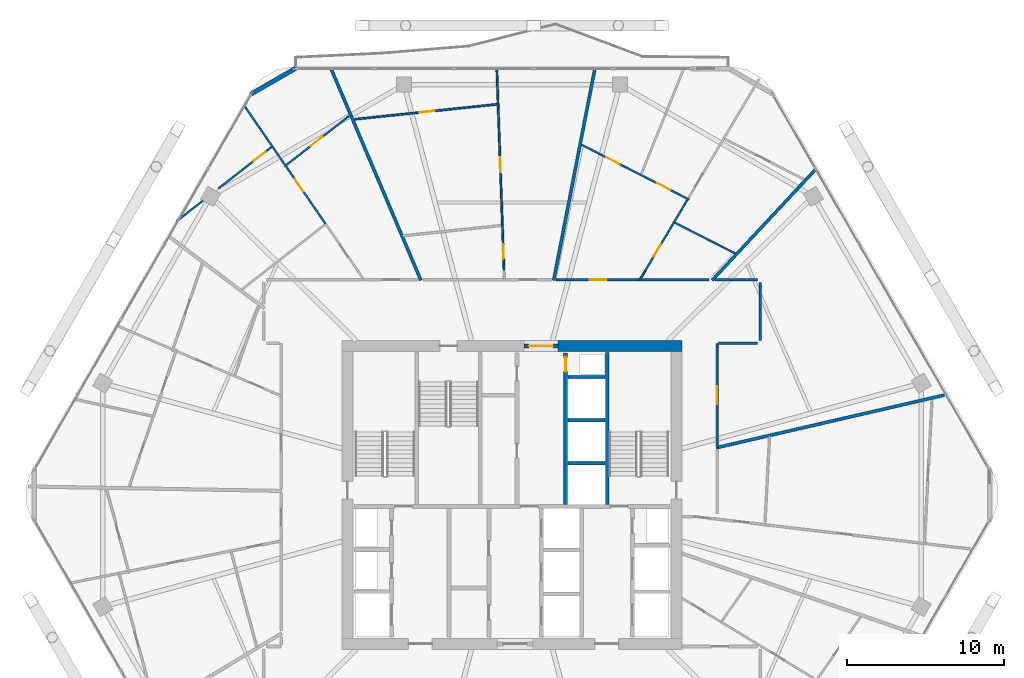
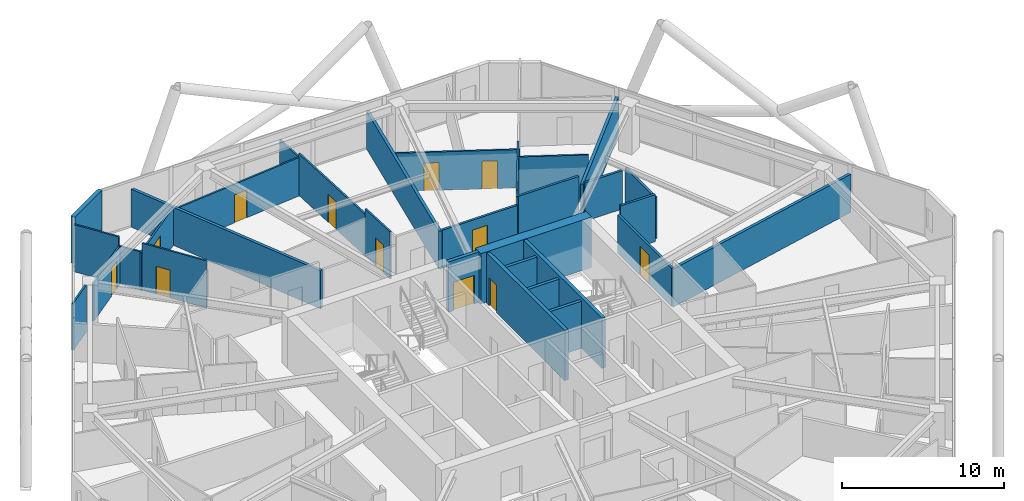
# One storey, part 25 of 28: 33 walls, 13 doors, 13 openings.
"""IFC4 building model written with IfcOpenShell, lengths in metres."""

from ifc_helpers import new_model, si_unit, direction, frame, frame_2d, origin, place, context, subcontext, project, spatial, rectangle, extrude, material, layer, layer_set, type_object, element, fill, save


model = new_model("IFC4")

# Units and contexts
model_context = context("Model", 3, precision=1e-05, world=origin(), true_north=direction((0.0, 1.0)))
body_context = subcontext(model_context, "Body", "Model", "MODEL_VIEW")
ifc_project = project(units=[si_unit("LENGTHUNIT", "METRE"), si_unit("AREAUNIT", "SQUARE_METRE"), si_unit("VOLUMEUNIT", "CUBIC_METRE"), si_unit("PLANEANGLEUNIT", "RADIAN"), si_unit("MASSUNIT", "GRAM", prefix="KILO")], contexts=[model_context])

# Site, building, storey
site_placement = place(None, origin())
site = spatial("IfcSite", under=ifc_project, at=site_placement, CompositionType="ELEMENT")
building_placement = place(site_placement, origin())
building = spatial("IfcBuilding", under=site, at=building_placement, Name="Zuhravey Tower", CompositionType="ELEMENT")
storey_placement = place(building_placement, frame((0.0, 0.0, 207.39990234375)))
storey = spatial("IfcBuildingStorey", under=building, at=storey_placement, Name="L52", CompositionType="ELEMENT", Elevation=207.39990234375)

# Wall
ifc_material_1 = material(Name="Concrete C60/75", Category="concrete")
ifc_layer_1 = layer(ifc_material_1, 0.699951171875)
ifc_layer_set_1 = layer_set([ifc_layer_1], Name="Concrete C60/75")
wall_type_1 = type_object("IfcWallType", Name="Core Shear Wall 700", PredefinedType="SHEAR", material=ifc_layer_set_1)
wall_1_placement = place(storey_placement, frame((46.85009765625, 41.5, 0.0), z_axis=(0.0, 0.0, 1.0), x_axis=(-1.0, 0.0, 0.0)))
element("IfcWall", 1, at=wall_1_placement, inside=storey, type_object=wall_type_1, Name="L52 North-East Core Shear Wall CW70", PredefinedType="SHEAR", context=body_context, shape_type="SweptSolid", body=[
    extrude(rectangle(XDim=7.900146484375, YDim=0.699951171875, at=frame_2d((3.9501953125, 0.0))), origin(), (0.0, 0.0, 1.0), 3.800048828125),
])

# Wall, opening, door
ifc_material_2 = material(Name="Gypsum fire-rated stud partition")
ifc_layer_2 = layer(ifc_material_2, 0.159912109375)
ifc_layer_set_2 = layer_set([ifc_layer_2], Name="Gypsum fire-rated stud partition")
wall_type_2 = type_object("IfcWallType", Name="Corridor Fire Partition 160", PredefinedType="PARTITIONING", material=ifc_layer_set_2)
wall_2_placement = place(storey_placement, frame((44.135498046875, 45.72998046875, 0.0), z_axis=(0.0, 0.0, 1.0), x_axis=(-1.0, 0.0, 0.0)))
wall_2 = element("IfcWall", 2, at=wall_2_placement, inside=storey, type_object=wall_type_2, Name="L52 IW16 Partition 025", PredefinedType="PARTITIONING", context=body_context, shape_type="SweptSolid", body=[
    extrude(rectangle(XDim=5.32177734375, YDim=0.159912109375, at=frame_2d((2.660888671875, 0.0))), origin(), (0.0, 0.0, 1.0), 2.900146484375),
])
opening_1_placement = place(wall_2_placement, frame((2.135986328125, 0.0, 0.0)))
opening_1 = element("IfcOpeningElement", 3, at=opening_1_placement, cuts=wall_2, Name="Opening APD1", PredefinedType="OPENING", context=body_context, shape_type="SweptSolid", body=[
    extrude(rectangle(XDim=1.050048828125, YDim=2.14990234375, at=frame_2d((0.52490234375, 1.074951171875))), frame((0.0, 0.092041015625, 0.0), z_axis=(0.0, -1.0, 0.0), x_axis=(1.0, 0.0, 0.0)), (0.0, 0.0, 1.0), 0.183837890625),
])
ifc_material_3 = material(Name="Solid-core oak fire-rated leaf")
door_type_1 = type_object("IfcDoorType", Name="Apartment Entrance Fire Door 1050x2150", OperationType="NOTDEFINED", PredefinedType="DOOR", material=ifc_material_3)
door_1_placement = place(opening_1_placement, frame((1.050048828125, 0.0, 0.0), z_axis=(0.0, 0.0, 1.0), x_axis=(-1.0, 0.0, 0.0)))
door_1 = element("IfcDoor", 4, at=door_1_placement, inside=storey, type_object=door_type_1, Name="L52 Door 025.1", OperationType="SINGLE_SWING_RIGHT", OverallHeight=2.14990234375, OverallWidth=1.050048828125, PredefinedType="DOOR", context=body_context, shape_type="SweptSolid", body=[
    extrude(rectangle(XDim=1.050048828125, YDim=2.14990234375, at=frame_2d((0.52490234375, 1.074951171875))), frame((0.0, 0.02490234375, 0.0), z_axis=(0.0, -1.0, 0.0), x_axis=(1.0, 0.0, 0.0)), (0.0, 0.0, 1.0), 0.050048828125),
])
fill(opening_1, door_1)

wall_3_placement = place(storey_placement, frame((49.080078125, 35.040283203125, 0.0), z_axis=(0.0, 0.0, 1.0), x_axis=(0.0, 1.0, 0.0)))
wall_3 = element("IfcWall", 5, at=wall_3_placement, inside=storey, type_object=wall_type_2, Name="L52 IW16 Partition 069", PredefinedType="PARTITIONING", context=body_context, shape_type="SweptSolid", body=[
    extrude(rectangle(XDim=6.629638671875, YDim=0.159912109375, at=frame_2d((3.31494140625, 0.0))), origin(), (0.0, 0.0, 1.0), 2.900146484375),
])
opening_2_placement = place(wall_3_placement, frame((2.73974609375, 0.0, 0.0)))
opening_2 = element("IfcOpeningElement", 6, at=opening_2_placement, cuts=wall_3, Name="Opening CLD1", PredefinedType="OPENING", context=body_context, shape_type="SweptSolid", body=[
    extrude(rectangle(XDim=1.14990234375, YDim=2.199951171875, at=frame_2d((0.574951171875, 1.10009765625))), frame((0.0, 0.092041015625, 0.0), z_axis=(0.0, -1.0, 0.0), x_axis=(1.0, 0.0, 0.0)), (0.0, 0.0, 1.0), 0.183837890625),
])
ifc_material_4 = material(Name="Acoustic timber leaf with vision lite", Category="wood")
door_type_2 = type_object("IfcDoorType", Name="Classroom Acoustic Door 1150x2200", OperationType="NOTDEFINED", PredefinedType="DOOR", material=ifc_material_4)
door_2_placement = place(opening_2_placement, frame((1.14990234375, 0.0, 0.0), z_axis=(0.0, 0.0, 1.0), x_axis=(-1.0, 0.0, 0.0)))
door_2 = element("IfcDoor", 7, at=door_2_placement, inside=storey, type_object=door_type_2, Name="L52 Door 069.1", OperationType="SINGLE_SWING_RIGHT", OverallHeight=2.199951171875, OverallWidth=1.14990234375, PredefinedType="DOOR", context=body_context, shape_type="SweptSolid", body=[
    extrude(rectangle(XDim=1.14990234375, YDim=2.199951171875, at=frame_2d((0.574951171875, 1.10009765625))), frame((0.0, 0.02490234375, 0.0), z_axis=(0.0, -1.0, 0.0), x_axis=(1.0, 0.0, 0.0)), (0.0, 0.0, 1.0), 0.050048828125),
])
fill(opening_2, door_2)

# Walls
wall_4_placement = place(storey_placement, frame((48.55419921875, 45.72998046875, 0.0), z_axis=(0.0, 0.0, 1.0), x_axis=(-1.0, 0.0, 0.0)))
element("IfcWall", 8, at=wall_4_placement, inside=storey, type_object=wall_type_2, Name="L52 IW16 Partition 122", PredefinedType="PARTITIONING", context=body_context, shape_type="SweptSolid", body=[
    extrude(rectangle(XDim=4.31640625, YDim=0.159912109375, at=frame_2d((2.158203125, 0.0))), origin(), (0.0, 0.0, 1.0), 3.550048828125),
])
wall_5_placement = place(storey_placement, frame((51.830078125, 41.85009765625, 0.0), z_axis=(0.0, 0.0, 1.0), x_axis=(0.0, 1.0, 0.0)))
element("IfcWall", 9, at=wall_5_placement, inside=storey, type_object=wall_type_2, Name="L52 IW16 Partition 140", PredefinedType="PARTITIONING", context=body_context, shape_type="SweptSolid", body=[
    extrude(rectangle(XDim=3.699951171875, YDim=0.159912109375, at=frame_2d((1.85009765625, 0.0))), origin(), (0.0, 0.0, 1.0), 3.150146484375),
])
wall_6_placement = place(storey_placement, frame((51.64990234375, 45.72998046875, 0.0), z_axis=(0.0, 0.0, 1.0), x_axis=(-1.0, 0.0, 0.0)))
element("IfcWall", 10, at=wall_6_placement, inside=storey, type_object=wall_type_2, Name="L52 IW16 Partition 141", PredefinedType="PARTITIONING", context=body_context, shape_type="SweptSolid", body=[
    extrude(rectangle(XDim=2.69873046875, YDim=0.159912109375, at=frame_2d((1.349365234375, 0.0))), origin(), (0.0, 0.0, 1.0), 2.900146484375),
])
wall_7_placement = place(storey_placement, frame((49.16796875, 41.669921875, 0.0), z_axis=(0.0, 0.0, 1.0), x_axis=(1.0, 0.0, 0.0)))
element("IfcWall", 11, at=wall_7_placement, inside=storey, type_object=wall_type_2, Name="L52 IW16 Partition 142", PredefinedType="PARTITIONING", context=body_context, shape_type="SweptSolid", body=[
    extrude(rectangle(XDim=2.48193359375, YDim=0.159912109375, at=frame_2d((1.240966796875, 0.0))), origin(), (0.0, 0.0, 1.0), 3.550048828125),
])
ifc_material_5 = material(Name="Precast concrete C40/50", Category="concrete")
ifc_layer_3 = layer(ifc_material_5, 0.280029296875)
ifc_layer_set_3 = layer_set([ifc_layer_3], Name="Precast concrete C40/50")
wall_type_3 = type_object("IfcWallType", Name="Crown Architectural Wall 280", PredefinedType="SOLIDWALL", material=ifc_layer_set_3)
wall_8_placement = place(storey_placement, frame((19.306884765625, 57.548095703125, 0.0), z_axis=(0.0, 0.0, 1.0), x_axis=(0.866020068361, 0.500009241111, 0.0)))
element("IfcWall", 12, at=wall_8_placement, inside=storey, type_object=wall_type_3, Name="L52 Rounded Corner Closure Wall EW28-08", PredefinedType="SOLIDWALL", context=body_context, shape_type="SweptSolid", body=[
    extrude(rectangle(XDim=3.365234375, YDim=0.280029296875, at=frame_2d((1.6826171875, 0.0))), origin(), (0.0, 0.0, 1.0), 3.550048828125),
])

# Wall, opening, door
ifc_material_6 = material(Name="Concrete C50/60", Category="concrete")
ifc_layer_4 = layer(ifc_material_6, 0.25)
ifc_layer_set_4 = layer_set([ifc_layer_4], Name="Concrete C50/60")
wall_type_4 = type_object("IfcWallType", Name="Firefighting Shaft & Stair Wall 250", PredefinedType="SOLIDWALL", material=ifc_layer_set_4)
wall_9_placement = place(storey_placement, frame((36.760009765625, 41.5, 0.0), z_axis=(0.0, 0.0, 1.0), x_axis=(1.0, 0.0, 0.0)))
wall_9 = element("IfcWall", 13, at=wall_9_placement, inside=storey, type_object=wall_type_4, Name="L52 FW25 Shaft Wall 002", PredefinedType="SOLIDWALL", context=body_context, shape_type="SweptSolid", body=[
    extrude(rectangle(XDim=2.179931640625, YDim=0.25, at=frame_2d((1.08984375, 0.0))), origin(), (0.0, 0.0, 1.0), 3.800048828125),
])
opening_3_placement = place(wall_9_placement, frame((0.340087890625, 0.0, 0.0)))
opening_3 = element("IfcOpeningElement", 14, at=opening_3_placement, cuts=wall_9, Name="Opening FFD1", PredefinedType="OPENING", context=body_context, shape_type="SweptSolid", body=[
    extrude(rectangle(XDim=1.5, YDim=2.14990234375, at=frame_2d((0.75, 1.074951171875))), frame((0.0, 0.136962890625, 0.0), z_axis=(0.0, -1.0, 0.0), x_axis=(1.0, 0.0, 0.0)), (0.0, 0.0, 1.0), 0.27392578125),
])
ifc_material_7 = material(Name="Galvanised fire-rated steel leaf", Category="steel")
door_type_3 = type_object("IfcDoorType", Name="Firefighting Lobby Double Door 1500x2150", OperationType="DOUBLE_DOOR_SINGLE_SWING", PredefinedType="DOOR", material=ifc_material_7)
door_3_placement = place(opening_3_placement, origin())
door_3 = element("IfcDoor", 15, at=door_3_placement, inside=storey, type_object=door_type_3, Name="L52 North Lift Lobby Exit Door", OperationType="DOUBLE_DOOR_SINGLE_SWING", OverallHeight=2.14990234375, OverallWidth=1.5, PredefinedType="DOOR", context=body_context, shape_type="SweptSolid", body=[
    extrude(rectangle(XDim=1.5, YDim=2.14990234375, at=frame_2d((0.75, 1.074951171875))), frame((0.0, 0.02490234375, 0.0), z_axis=(0.0, -1.0, 0.0), x_axis=(1.0, 0.0, 0.0)), (0.0, 0.0, 1.0), 0.050048828125),
])
fill(opening_3, door_3)

# Wall
wall_10_placement = place(storey_placement, frame((42.074951171875, 31.39990234375, 0.0), z_axis=(0.0, 0.0, 1.0), x_axis=(0.0, 1.0, 0.0)))
element("IfcWall", 16, at=wall_10_placement, inside=storey, type_object=wall_type_4, Name="L52 FW25 Shaft Wall 006", PredefinedType="SOLIDWALL", context=body_context, shape_type="SweptSolid", body=[
    extrude(rectangle(XDim=9.7001953125, YDim=0.25, at=frame_2d((4.85009765625, 0.0))), origin(), (0.0, 0.0, 1.0), 3.800048828125),
])

# Wall, opening, door
wall_11_placement = place(storey_placement, frame((39.425048828125, 31.39990234375, 0.0), z_axis=(0.0, 0.0, 1.0), x_axis=(0.0, 1.0, 0.0)))
wall_11 = element("IfcWall", 17, at=wall_11_placement, inside=storey, type_object=wall_type_4, Name="L52 FW25 Shaft Wall 008", PredefinedType="SOLIDWALL", context=body_context, shape_type="SweptSolid", body=[
    extrude(rectangle(XDim=9.650146484375, YDim=0.25, at=frame_2d((4.8251953125, 0.0))), origin(), (0.0, 0.0, 1.0), 3.800048828125),
])
opening_4_placement = place(wall_11_placement, frame((8.469970703125, 0.0, 0.0)))
opening_4 = element("IfcOpeningElement", 18, at=opening_4_placement, cuts=wall_11, Name="Opening RSD1", PredefinedType="OPENING", context=body_context, shape_type="SweptSolid", body=[
    extrude(rectangle(XDim=0.89990234375, YDim=2.10009765625, at=frame_2d((0.449951171875, 1.050048828125))), frame((0.0, 0.136962890625, 0.0), z_axis=(0.0, -1.0, 0.0), x_axis=(1.0, 0.0, 0.0)), (0.0, 0.0, 1.0), 0.27392578125),
])
ifc_material_8 = material(Name="Galvanised fire-rated steel access leaf", Category="steel")
door_type_4 = type_object("IfcDoorType", Name="Riser & Shaft Access Fire Door 900x2100", OperationType="NOTDEFINED", PredefinedType="DOOR", material=ifc_material_8)
door_4_placement = place(opening_4_placement, origin())
door_4 = element("IfcDoor", 19, at=door_4_placement, inside=storey, type_object=door_type_4, Name="L52 North Riser Door", OperationType="SINGLE_SWING_LEFT", OverallHeight=2.10009765625, OverallWidth=0.89990234375, PredefinedType="DOOR", context=body_context, shape_type="SweptSolid", body=[
    extrude(rectangle(XDim=0.89990234375, YDim=2.10009765625, at=frame_2d((0.449951171875, 1.050048828125))), frame((0.0, 0.02490234375, 0.0), z_axis=(0.0, -1.0, 0.0), x_axis=(1.0, 0.0, 0.0)), (0.0, 0.0, 1.0), 0.050048828125),
])
fill(opening_4, door_4)

# Walls
ifc_material_9 = material(Name="Gypsum double-stud party assembly")
ifc_layer_5 = layer(ifc_material_9, 0.199951171875)
ifc_layer_set_5 = layer_set([ifc_layer_5], Name="Gypsum double-stud party assembly")
wall_type_5 = type_object("IfcWallType", Name="Inter-Tenancy Party Wall 200", PredefinedType="PARTITIONING", material=ifc_layer_set_5)
wall_12_placement = place(storey_placement, frame((48.76611328125, 45.68994140625, 0.0), z_axis=(0.0, 0.0, 1.0), x_axis=(0.682001842328, 0.731350454338, 0.0)))
element("IfcWall", 20, at=wall_12_placement, inside=storey, type_object=wall_type_5, Name="L52 IW20 Partition 076", PredefinedType="PARTITIONING", context=body_context, shape_type="SweptSolid", body=[
    extrude(rectangle(XDim=9.70654296875, YDim=0.199951171875, at=frame_2d((4.853271484375, 0.0))), origin(), (0.0, 0.0, 1.0), 2.8701171875),
])
wall_13_placement = place(storey_placement, frame((38.6611328125, 45.68994140625, 0.0), z_axis=(0.0, 0.0, 1.0), x_axis=(0.190808808393, 0.981627219794, 0.0)))
element("IfcWall", 21, at=wall_13_placement, inside=storey, type_object=wall_type_5, Name="L52 IW20 Partition 081", PredefinedType="PARTITIONING", context=body_context, shape_type="SweptSolid", body=[
    extrude(rectangle(XDim=13.74560546875, YDim=0.199951171875, at=frame_2d((6.872802734375, 0.0))), origin(), (0.0, 0.0, 1.0), 2.8701171875),
])
wall_14_placement = place(storey_placement, frame((30.18896484375, 45.68994140625, 0.0), z_axis=(0.0, 0.0, 1.0), x_axis=(-0.390732904656, 0.920504099512, 0.0)))
element("IfcWall", 22, at=wall_14_placement, inside=storey, type_object=wall_type_5, Name="L52 IW20 Partition 085", PredefinedType="PARTITIONING", context=body_context, shape_type="SweptSolid", body=[
    extrude(rectangle(XDim=14.658447265625, YDim=0.199951171875, at=frame_2d((7.3291015625, 0.0))), origin(), (0.0, 0.0, 1.0), 2.8701171875),
])
wall_15_placement = place(storey_placement, frame((49.0400390625, 35.010498046875, 0.0), z_axis=(0.0, 0.0, 1.0), x_axis=(0.974369033518, 0.224955521206, 0.0)))
element("IfcWall", 23, at=wall_15_placement, inside=storey, type_object=wall_type_5, Name="L52 IW20 Partition 121", PredefinedType="PARTITIONING", context=body_context, shape_type="SweptSolid", body=[
    extrude(rectangle(XDim=15.0419921875, YDim=0.199951171875, at=frame_2d((7.52099609375, 0.0))), origin(), (0.0, 0.0, 1.0), 2.8701171875),
])
ifc_material_10 = material(Name="Gypsum acoustic stud assembly")
ifc_layer_6 = layer(ifc_material_10, 0.219970703125)
ifc_layer_set_6 = layer_set([ifc_layer_6], Name="Gypsum acoustic stud assembly")
wall_type_6 = type_object("IfcWallType", Name="School Acoustic Compartment Wall 220", PredefinedType="PARTITIONING", material=ifc_layer_set_6)
for number, where, z_axis, x_axis, name in (
    (24, (39.55810546875, 34.02490234375, 0.0), (0.0, 0.0, 1.0), (1.0, 0.0, 0.0), "L52 IW22 Partition 071"),
    (25, (39.55810546875, 36.77490234375, 0.0), (0.0, 0.0, 1.0), (1.0, 0.0, 0.0), "L52 IW22 Partition 072"),
    (26, (39.55810546875, 39.52490234375, 0.0), (0.0, 0.0, 1.0), (1.0, 0.0, 0.0), "L52 IW22 Partition 073"),
):
    element("IfcWall", number, at=place(storey_placement, frame(where, z_axis=z_axis, x_axis=x_axis)), inside=storey, type_object=wall_type_6, Name=name, PredefinedType="PARTITIONING", context=body_context, shape_type="SweptSolid", body=[
        extrude(rectangle(XDim=2.3837890625, YDim=0.219970703125, at=frame_2d((1.19189453125, 0.0))), origin(), (0.0, 0.0, 1.0), 3.550048828125),
    ])

# Wall, openings, doors
ifc_material_11 = material(Name="Gypsum metal-stud partition")
ifc_layer_7 = layer(ifc_material_11, 0.1201171875)
ifc_layer_set_7 = layer_set([ifc_layer_7], Name="Gypsum metal-stud partition")
wall_type_7 = type_object("IfcWallType", Name="Unit Internal Partition 120", PredefinedType="PARTITIONING", material=ifc_layer_set_7)
wall_16_placement = place(storey_placement, frame((47.310302734375, 50.837890625, 0.0), z_axis=(0.0, 0.0, 1.0), x_axis=(-0.890999610934, 0.45400406751, 0.0)))
wall_16 = element("IfcWall", 27, at=wall_16_placement, inside=storey, type_object=wall_type_7, Name="L52 IW12 Partition 020", PredefinedType="PARTITIONING", context=body_context, shape_type="SweptSolid", body=[
    extrude(rectangle(XDim=7.7080078125, YDim=0.1201171875, at=frame_2d((3.85400390625, 0.0))), origin(), (0.0, 0.0, 1.0), 2.900146484375),
])
opening_5_placement = place(wall_16_placement, frame((1.376708984375, 0.0, 0.0)))
opening_5 = element("IfcOpeningElement", 28, at=opening_5_placement, cuts=wall_16, Name="Opening IND1", PredefinedType="OPENING", context=body_context, shape_type="SweptSolid", body=[
    extrude(rectangle(XDim=0.949951171875, YDim=2.10009765625, at=frame_2d((0.47509765625, 1.050048828125))), frame((0.0, 0.072021484375, 0.0), z_axis=(0.0, -1.0, 0.0), x_axis=(1.0, 0.0, 0.0)), (0.0, 0.0, 1.0), 0.14404296875),
])
opening_6_placement = place(wall_16_placement, frame((4.990478515625, 0.0, 0.0)))
opening_6 = element("IfcOpeningElement", 29, at=opening_6_placement, cuts=wall_16, Name="Opening IND1", PredefinedType="OPENING", context=body_context, shape_type="SweptSolid", body=[
    extrude(rectangle(XDim=0.949951171875, YDim=2.10009765625, at=frame_2d((0.47509765625, 1.050048828125))), frame((0.0, 0.072021484375, 0.0), z_axis=(0.0, -1.0, 0.0), x_axis=(1.0, 0.0, 0.0)), (0.0, 0.0, 1.0), 0.14404296875),
])
ifc_material_12 = material(Name="Painted engineered timber leaf", Category="wood")
door_type_5 = type_object("IfcDoorType", Name="Internal Room & Bedroom Door 950x2100", OperationType="NOTDEFINED", PredefinedType="DOOR", material=ifc_material_12)
door_5_placement = place(opening_5_placement, frame((0.949951171875, 0.0, 0.0), z_axis=(0.0, 0.0, 1.0), x_axis=(-1.0, 0.0, 0.0)))
door_5 = element("IfcDoor", 30, at=door_5_placement, inside=storey, type_object=door_type_5, Name="Apartment L52-01 Family Study Door", OperationType="SINGLE_SWING_LEFT", OverallHeight=2.10009765625, OverallWidth=0.949951171875, PredefinedType="DOOR", context=body_context, shape_type="SweptSolid", body=[
    extrude(rectangle(XDim=0.949951171875, YDim=2.10009765625, at=frame_2d((0.47509765625, 1.050048828125))), frame((0.0, 0.02490234375, 0.0), z_axis=(0.0, -1.0, 0.0), x_axis=(1.0, 0.0, 0.0)), (0.0, 0.0, 1.0), 0.050048828125),
])
fill(opening_5, door_5)
door_6_placement = place(opening_6_placement, frame((0.949951171875, 0.0, 0.0), z_axis=(0.0, 0.0, 1.0), x_axis=(-1.0, 0.0, 0.0)))
door_6 = element("IfcDoor", 31, at=door_6_placement, inside=storey, type_object=door_type_5, Name="Apartment L52-01 Dining Room Door", OperationType="SINGLE_SWING_RIGHT", OverallHeight=2.10009765625, OverallWidth=0.949951171875, PredefinedType="DOOR", context=body_context, shape_type="SweptSolid", body=[
    extrude(rectangle(XDim=0.949951171875, YDim=2.10009765625, at=frame_2d((0.47509765625, 1.050048828125))), frame((0.0, 0.02490234375, 0.0), z_axis=(0.0, -1.0, 0.0), x_axis=(1.0, 0.0, 0.0)), (0.0, 0.0, 1.0), 0.050048828125),
])
fill(opening_6, door_6)

# Wall, opening, door
wall_17_placement = place(storey_placement, frame((44.49755859375, 46.300048828125, 0.0), z_axis=(0.0, 0.0, 1.0), x_axis=(0.510815768273, 0.859690206344, 0.0)))
wall_17 = element("IfcWall", 32, at=wall_17_placement, inside=storey, type_object=wall_type_7, Name="L52 IW12 Partition 021", PredefinedType="PARTITIONING", context=body_context, shape_type="SweptSolid", body=[
    extrude(rectangle(XDim=3.624267578125, YDim=0.1201171875, at=frame_2d((1.81201171875, 0.0))), origin(), (0.0, 0.0, 1.0), 3.550048828125),
])
opening_7_placement = place(wall_17_placement, frame((1.072265625, 0.0, 0.0)))
opening_7 = element("IfcOpeningElement", 33, at=opening_7_placement, cuts=wall_17, Name="Opening WCD1", PredefinedType="OPENING", context=body_context, shape_type="SweptSolid", body=[
    extrude(rectangle(XDim=0.89990234375, YDim=2.10009765625, at=frame_2d((0.449951171875, 1.050048828125))), frame((0.0, 0.072021484375, 0.0), z_axis=(0.0, -1.0, 0.0), x_axis=(1.0, 0.0, 0.0)), (0.0, 0.0, 1.0), 0.14404296875),
])
ifc_material_13 = material(Name="Moisture-resistant timber leaf", Category="wood")
door_type_6 = type_object("IfcDoorType", Name="Bathroom & WC Internal Door 900x2100", OperationType="NOTDEFINED", PredefinedType="DOOR", material=ifc_material_13)
door_7_placement = place(opening_7_placement, frame((0.89990234375, 0.0, 0.0), z_axis=(0.0, 0.0, 1.0), x_axis=(-1.0, 0.0, 0.0)))
door_7 = element("IfcDoor", 34, at=door_7_placement, inside=storey, type_object=door_type_6, Name="Apartment L52-01 Bathroom Door", OperationType="SINGLE_SWING_LEFT", OverallHeight=2.10009765625, OverallWidth=0.89990234375, PredefinedType="DOOR", context=body_context, shape_type="SweptSolid", body=[
    extrude(rectangle(XDim=0.89990234375, YDim=2.10009765625, at=frame_2d((0.449951171875, 1.050048828125))), frame((0.0, 0.02490234375, 0.0), z_axis=(0.0, -1.0, 0.0), x_axis=(1.0, 0.0, 0.0)), (0.0, 0.0, 1.0), 0.050048828125),
])
fill(opening_7, door_7)

# Wall
wall_18_placement = place(storey_placement, frame((46.34912109375, 49.415771484375, 0.0), z_axis=(0.0, 0.0, 1.0), x_axis=(0.510810635224, 0.859693256308, 0.0)))
element("IfcWall", 35, at=wall_18_placement, inside=storey, type_object=wall_type_7, Name="L52 IW12 Partition 022", PredefinedType="PARTITIONING", context=body_context, shape_type="SweptSolid", body=[
    extrude(rectangle(XDim=1.638916015625, YDim=0.1201171875, at=frame_2d((0.8193359375, 0.0))), origin(), (0.0, 0.0, 1.0), 3.550048828125),
])

# Wall, opening, door
wall_19_placement = place(storey_placement, frame((35.490478515625, 46.300048828125, 0.0), z_axis=(0.0, 0.0, 1.0), x_axis=(-0.035486032523, 0.999370172406, 0.0)))
wall_19 = element("IfcWall", 36, at=wall_19_placement, inside=storey, type_object=wall_type_7, Name="L52 IW12 Partition 026", PredefinedType="PARTITIONING", context=body_context, shape_type="SweptSolid", body=[
    extrude(rectangle(XDim=2.924072265625, YDim=0.1201171875, at=frame_2d((1.4619140625, 0.0))), origin(), (0.0, 0.0, 1.0), 3.550048828125),
])
opening_8_placement = place(wall_19_placement, frame((0.778076171875, 0.0, 0.0)))
opening_8 = element("IfcOpeningElement", 37, at=opening_8_placement, cuts=wall_19, Name="Opening WCD1", PredefinedType="OPENING", context=body_context, shape_type="SweptSolid", body=[
    extrude(rectangle(XDim=0.89990234375, YDim=2.10009765625, at=frame_2d((0.449951171875, 1.050048828125))), frame((0.0, 0.072021484375, 0.0), z_axis=(0.0, -1.0, 0.0), x_axis=(1.0, 0.0, 0.0)), (0.0, 0.0, 1.0), 0.14404296875),
])
door_8_placement = place(opening_8_placement, origin())
door_8 = element("IfcDoor", 38, at=door_8_placement, inside=storey, type_object=door_type_6, Name="Apartment L52-02 Bathroom Door", OperationType="SINGLE_SWING_LEFT", OverallHeight=2.10009765625, OverallWidth=0.89990234375, PredefinedType="DOOR", context=body_context, shape_type="SweptSolid", body=[
    extrude(rectangle(XDim=0.89990234375, YDim=2.10009765625, at=frame_2d((0.449951171875, 1.050048828125))), frame((0.0, 0.02490234375, 0.0), z_axis=(0.0, -1.0, 0.0), x_axis=(1.0, 0.0, 0.0)), (0.0, 0.0, 1.0), 0.050048828125),
])
fill(opening_8, door_8)

wall_20_placement = place(storey_placement, frame((35.386474609375, 49.22216796875, 0.0), z_axis=(0.0, 0.0, 1.0), x_axis=(-0.035603715275, 0.999365986743, 0.0)))
wall_20 = element("IfcWall", 39, at=wall_20_placement, inside=storey, type_object=wall_type_7, Name="L52 IW12 Partition 027", PredefinedType="PARTITIONING", context=body_context, shape_type="SweptSolid", body=[
    extrude(rectangle(XDim=7.73486328125, YDim=0.1201171875, at=frame_2d((3.867431640625, 0.0))), origin(), (0.0, 0.0, 1.0), 3.150146484375),
])
opening_9_placement = place(wall_20_placement, frame((3.367431640625, 0.0, 0.0)))
opening_9 = element("IfcOpeningElement", 40, at=opening_9_placement, cuts=wall_20, Name="Opening IND1", PredefinedType="OPENING", context=body_context, shape_type="SweptSolid", body=[
    extrude(rectangle(XDim=0.949951171875, YDim=2.10009765625, at=frame_2d((0.47509765625, 1.050048828125))), frame((0.0, 0.072021484375, 0.0), z_axis=(0.0, -1.0, 0.0), x_axis=(1.0, 0.0, 0.0)), (0.0, 0.0, 1.0), 0.14404296875),
])
door_9_placement = place(opening_9_placement, origin())
door_9 = element("IfcDoor", 41, at=door_9_placement, inside=storey, type_object=door_type_5, Name="Apartment L52-02 Home Office Door", OperationType="SINGLE_SWING_RIGHT", OverallHeight=2.10009765625, OverallWidth=0.949951171875, PredefinedType="DOOR", context=body_context, shape_type="SweptSolid", body=[
    extrude(rectangle(XDim=0.949951171875, YDim=2.10009765625, at=frame_2d((0.47509765625, 1.050048828125))), frame((0.0, 0.02490234375, 0.0), z_axis=(0.0, -1.0, 0.0), x_axis=(1.0, 0.0, 0.0)), (0.0, 0.0, 1.0), 0.050048828125),
])
fill(opening_9, door_9)

wall_21_placement = place(storey_placement, frame((35.044189453125, 56.919921875, 0.0), z_axis=(0.0, 0.0, 1.0), x_axis=(-0.994523900714, -0.104509381914, 0.0)))
wall_21 = element("IfcWall", 42, at=wall_21_placement, inside=storey, type_object=wall_type_7, Name="L52 IW12 Partition 028", PredefinedType="PARTITIONING", context=body_context, shape_type="SweptSolid", body=[
    extrude(rectangle(XDim=9.12939453125, YDim=0.1201171875, at=frame_2d((4.564697265625, 0.0))), origin(), (0.0, 0.0, 1.0), 2.900146484375),
])
opening_10_placement = place(wall_21_placement, frame((4.005615234375, 0.0, 0.0)))
opening_10 = element("IfcOpeningElement", 43, at=opening_10_placement, cuts=wall_21, Name="Opening IND1", PredefinedType="OPENING", context=body_context, shape_type="SweptSolid", body=[
    extrude(rectangle(XDim=0.949951171875, YDim=2.10009765625, at=frame_2d((0.47509765625, 1.050048828125))), frame((0.0, 0.072021484375, 0.0), z_axis=(0.0, -1.0, 0.0), x_axis=(1.0, 0.0, 0.0)), (0.0, 0.0, 1.0), 0.14404296875),
])
door_10_placement = place(opening_10_placement, frame((0.949951171875, 0.0, 0.0), z_axis=(0.0, 0.0, 1.0), x_axis=(-1.0, 0.0, 0.0)))
door_10 = element("IfcDoor", 44, at=door_10_placement, inside=storey, type_object=door_type_5, Name="Apartment L52-02 Bedroom 1 Door", OperationType="SINGLE_SWING_LEFT", OverallHeight=2.10009765625, OverallWidth=0.949951171875, PredefinedType="DOOR", context=body_context, shape_type="SweptSolid", body=[
    extrude(rectangle(XDim=0.949951171875, YDim=2.10009765625, at=frame_2d((0.47509765625, 1.050048828125))), frame((0.0, 0.02490234375, 0.0), z_axis=(0.0, -1.0, 0.0), x_axis=(1.0, 0.0, 0.0)), (0.0, 0.0, 1.0), 0.050048828125),
])
fill(opening_10, door_10)

wall_22_placement = place(storey_placement, frame((25.60009765625, 56.168701171875, 0.0), z_axis=(0.0, 0.0, 1.0), x_axis=(-0.788007411646, -0.615665752816, 0.0)))
wall_22 = element("IfcWall", 45, at=wall_22_placement, inside=storey, type_object=wall_type_7, Name="L52 IW12 Partition 030", PredefinedType="PARTITIONING", context=body_context, shape_type="SweptSolid", body=[
    extrude(rectangle(XDim=5.2373046875, YDim=0.1201171875, at=frame_2d((2.61865234375, 0.0))), origin(), (0.0, 0.0, 1.0), 2.8701171875),
])
opening_11_placement = place(wall_22_placement, frame((2.1435546875, 0.0, 0.0)))
opening_11 = element("IfcOpeningElement", 46, at=opening_11_placement, cuts=wall_22, Name="Opening IND1", PredefinedType="OPENING", context=body_context, shape_type="SweptSolid", body=[
    extrude(rectangle(XDim=0.949951171875, YDim=2.10009765625, at=frame_2d((0.47509765625, 1.050048828125))), frame((0.0, 0.072021484375, 0.0), z_axis=(0.0, -1.0, 0.0), x_axis=(1.0, 0.0, 0.0)), (0.0, 0.0, 1.0), 0.14404296875),
])
door_11_placement = place(opening_11_placement, frame((0.949951171875, 0.0, 0.0), z_axis=(0.0, 0.0, 1.0), x_axis=(-1.0, 0.0, 0.0)))
door_11 = element("IfcDoor", 47, at=door_11_placement, inside=storey, type_object=door_type_5, Name="Apartment L52-03 Family Study Door", OperationType="SINGLE_SWING_LEFT", OverallHeight=2.10009765625, OverallWidth=0.949951171875, PredefinedType="DOOR", context=body_context, shape_type="SweptSolid", body=[
    extrude(rectangle(XDim=0.949951171875, YDim=2.10009765625, at=frame_2d((0.47509765625, 1.050048828125))), frame((0.0, 0.02490234375, 0.0), z_axis=(0.0, -1.0, 0.0), x_axis=(1.0, 0.0, 0.0)), (0.0, 0.0, 1.0), 0.050048828125),
])
fill(opening_11, door_11)

wall_23_placement = place(storey_placement, frame((24.0986328125, 49.303466796875, 0.0), z_axis=(0.0, 0.0, 1.0), x_axis=(-0.566659925213, 0.823951775991, 0.0)))
wall_23 = element("IfcWall", 48, at=wall_23_placement, inside=storey, type_object=wall_type_7, Name="L52 IW12 Partition 032", PredefinedType="PARTITIONING", context=body_context, shape_type="SweptSolid", body=[
    extrude(rectangle(XDim=4.425537109375, YDim=0.1201171875, at=frame_2d((2.212890625, 0.0))), origin(), (0.0, 0.0, 1.0), 3.550048828125),
])
opening_12_placement = place(wall_23_placement, frame((2.50390625, 0.0, 0.0)))
opening_12 = element("IfcOpeningElement", 49, at=opening_12_placement, cuts=wall_23, Name="Opening IND1", PredefinedType="OPENING", context=body_context, shape_type="SweptSolid", body=[
    extrude(rectangle(XDim=0.949951171875, YDim=2.10009765625, at=frame_2d((0.47509765625, 1.050048828125))), frame((0.0, 0.072021484375, 0.0), z_axis=(0.0, -1.0, 0.0), x_axis=(1.0, 0.0, 0.0)), (0.0, 0.0, 1.0), 0.14404296875),
])
door_12_placement = place(opening_12_placement, origin())
door_12 = element("IfcDoor", 50, at=door_12_placement, inside=storey, type_object=door_type_5, Name="Apartment L52-03 Home Office Door", OperationType="SINGLE_SWING_LEFT", OverallHeight=2.10009765625, OverallWidth=0.949951171875, PredefinedType="DOOR", context=body_context, shape_type="SweptSolid", body=[
    extrude(rectangle(XDim=0.949951171875, YDim=2.10009765625, at=frame_2d((0.47509765625, 1.050048828125))), frame((0.0, 0.02490234375, 0.0), z_axis=(0.0, -1.0, 0.0), x_axis=(1.0, 0.0, 0.0)), (0.0, 0.0, 1.0), 0.050048828125),
])
fill(opening_12, door_12)

# Wall
wall_24_placement = place(storey_placement, frame((21.513427734375, 53.062255859375, 0.0), z_axis=(0.0, 0.0, 1.0), x_axis=(-0.566722311628, 0.823908867232, 0.0)))
element("IfcWall", 51, at=wall_24_placement, inside=storey, type_object=wall_type_7, Name="L52 IW12 Partition 033", PredefinedType="PARTITIONING", context=body_context, shape_type="SweptSolid", body=[
    extrude(rectangle(XDim=1.44580078125, YDim=0.1201171875, at=frame_2d((0.722900390625, 0.0))), origin(), (0.0, 0.0, 1.0), 2.8701171875),
])

# Wall, opening, door
wall_25_placement = place(storey_placement, frame((20.654541015625, 54.19091796875, 0.0), z_axis=(0.0, 0.0, 1.0), x_axis=(-0.788021793937, -0.615647344086, 0.0)))
wall_25 = element("IfcWall", 52, at=wall_25_placement, inside=storey, type_object=wall_type_7, Name="L52 IW12 Partition 034", PredefinedType="PARTITIONING", context=body_context, shape_type="SweptSolid", body=[
    extrude(rectangle(XDim=4.30419921875, YDim=0.1201171875, at=frame_2d((2.152099609375, 0.0))), origin(), (0.0, 0.0, 1.0), 2.8701171875),
])
opening_13_placement = place(wall_25_placement, frame((0.492919921875, 0.0, 0.0)))
opening_13 = element("IfcOpeningElement", 53, at=opening_13_placement, cuts=wall_25, Name="Opening IND1", PredefinedType="OPENING", context=body_context, shape_type="SweptSolid", body=[
    extrude(rectangle(XDim=0.949951171875, YDim=2.10009765625, at=frame_2d((0.47509765625, 1.050048828125))), frame((0.0, 0.072021484375, 0.0), z_axis=(0.0, -1.0, 0.0), x_axis=(1.0, 0.0, 0.0)), (0.0, 0.0, 1.0), 0.14404296875),
])
door_13_placement = place(opening_13_placement, frame((0.949951171875, 0.0, 0.0), z_axis=(0.0, 0.0, 1.0), x_axis=(-1.0, 0.0, 0.0)))
door_13 = element("IfcDoor", 54, at=door_13_placement, inside=storey, type_object=door_type_5, Name="Apartment L52-03 Kitchen Door", OperationType="SINGLE_SWING_RIGHT", OverallHeight=2.10009765625, OverallWidth=0.949951171875, PredefinedType="DOOR", context=body_context, shape_type="SweptSolid", body=[
    extrude(rectangle(XDim=0.949951171875, YDim=2.10009765625, at=frame_2d((0.47509765625, 1.050048828125))), frame((0.0, 0.02490234375, 0.0), z_axis=(0.0, -1.0, 0.0), x_axis=(1.0, 0.0, 0.0)), (0.0, 0.0, 1.0), 0.050048828125),
])
fill(opening_13, door_13)

# Walls
wall_26_placement = place(storey_placement, frame((44.135498046875, 45.69091796875, 0.0), z_axis=(0.0, 0.0, 1.0), x_axis=(0.510944675818, 0.859613598225, 0.0)))
element("IfcWall", 55, at=wall_26_placement, inside=storey, type_object=wall_type_7, Name="L52 IW12 Partition 078", PredefinedType="PARTITIONING", context=body_context, shape_type="SweptSolid", body=[
    extrude(rectangle(XDim=0.70849609375, YDim=0.1201171875, at=frame_2d((0.354248046875, 0.0))), origin(), (0.0, 0.0, 1.0), 3.550048828125),
])
wall_27_placement = place(storey_placement, frame((50.22509765625, 47.412841796875, 0.0), z_axis=(0.0, 0.0, 1.0), x_axis=(-0.891026487489, 0.453951317426, 0.0)))
element("IfcWall", 56, at=wall_27_placement, inside=storey, type_object=wall_type_7, Name="L52 IW12 Partition 080", PredefinedType="PARTITIONING", context=body_context, shape_type="SweptSolid", body=[
    extrude(rectangle(XDim=4.296630859375, YDim=0.1201171875, at=frame_2d((2.1484375, 0.0))), origin(), (0.0, 0.0, 1.0), 3.550048828125),
])
wall_28_placement = place(storey_placement, frame((35.111083984375, 56.9521484375, 0.0), z_axis=(0.0, 0.0, 1.0), x_axis=(-0.035574759537, 0.999367017909, 0.0)))
element("IfcWall", 57, at=wall_28_placement, inside=storey, type_object=wall_type_7, Name="L52 IW12 Partition 083", PredefinedType="PARTITIONING", context=body_context, shape_type="SweptSolid", body=[
    extrude(rectangle(XDim=2.2373046875, YDim=0.1201171875, at=frame_2d((1.11865234375, 0.0))), origin(), (0.0, 0.0, 1.0), 2.8701171875),
])
wall_29_placement = place(storey_placement, frame((20.694091796875, 54.25341796875, 0.0), z_axis=(0.0, 0.0, 1.0), x_axis=(-0.566668928945, 0.823945583742, 0.0)))
element("IfcWall", 58, at=wall_29_placement, inside=storey, type_object=wall_type_7, Name="L52 IW12 Partition 087", PredefinedType="PARTITIONING", context=body_context, shape_type="SweptSolid", body=[
    extrude(rectangle(XDim=3.10595703125, YDim=0.1201171875, at=frame_2d((1.552978515625, 0.0))), origin(), (0.0, 0.0, 1.0), 3.550048828125),
])
wall_30_placement = place(storey_placement, frame((16.279541015625, 50.772705078125, 0.0), z_axis=(0.0, 0.0, 1.0), x_axis=(-0.787993108164, -0.615684059795, 0.0)))
element("IfcWall", 59, at=wall_30_placement, inside=storey, type_object=wall_type_7, Name="L52 IW12 Partition 089", PredefinedType="PARTITIONING", context=body_context, shape_type="SweptSolid", body=[
    extrude(rectangle(XDim=2.131103515625, YDim=0.1201171875, at=frame_2d((1.0654296875, 0.0))), origin(), (0.0, 0.0, 1.0), 3.550048828125),
])

save(model, "model.ifc")
